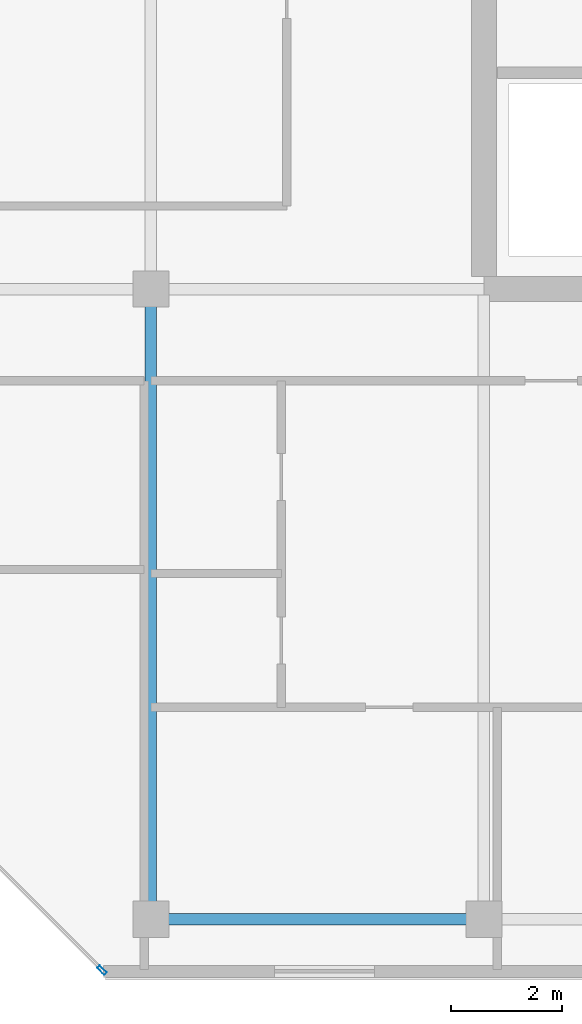
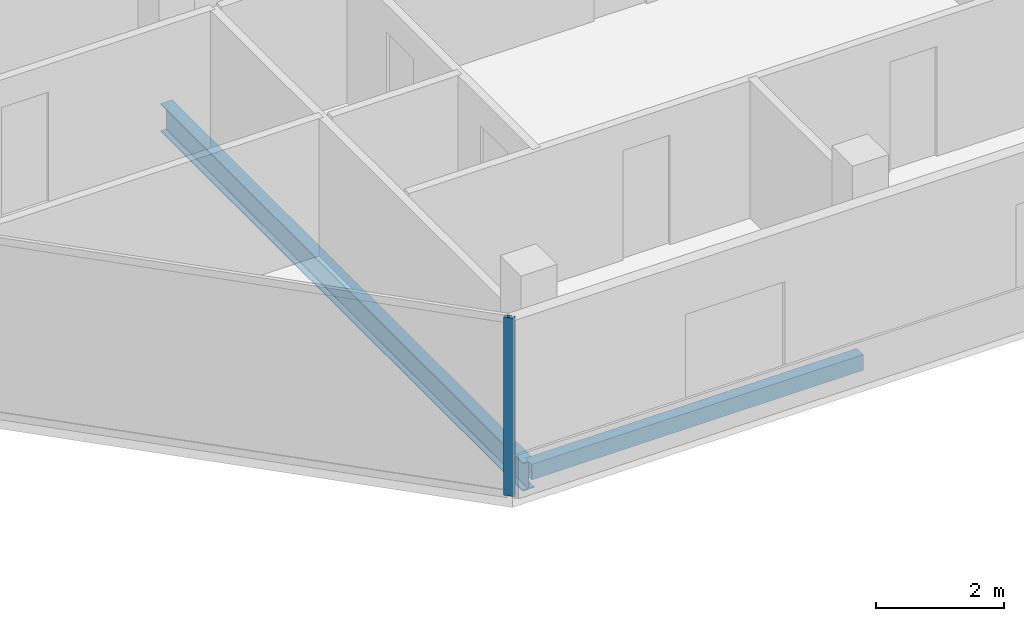
# One storey, part 10 of 28: 2 beams, 1 member, 1 element without a shape of its own.
"""IFC4 building model written with IfcOpenShell, lengths in metres."""

from ifc_helpers import new_model, si_unit, direction, frame, origin, origin_2d, place, context, subcontext, project, spatial, hollow_rectangle, i_section, extrude, material, layer, layer_set, material_profile, profile_set, type_object, element, aggregate, save


model = new_model("IFC4")

# Units and contexts
model_context = context("Model", 3, precision=1e-05, world=origin(), true_north=direction((0.0, 1.0)))
body_context = subcontext(model_context, "Body", "Model", "MODEL_VIEW")
ifc_project = project(units=[si_unit("LENGTHUNIT", "METRE"), si_unit("AREAUNIT", "SQUARE_METRE"), si_unit("VOLUMEUNIT", "CUBIC_METRE"), si_unit("PLANEANGLEUNIT", "RADIAN"), si_unit("MASSUNIT", "GRAM", prefix="KILO")], contexts=[model_context])

# Site, building, storey
site_placement = place(None, origin())
site = spatial("IfcSite", under=ifc_project, at=site_placement, CompositionType="ELEMENT")
building_placement = place(site_placement, origin())
building = spatial("IfcBuilding", under=site, at=building_placement, Name="Tanjung Sevakor Pilgrim Tower", CompositionType="ELEMENT")
storey_placement = place(building_placement, frame((0.0, 0.0, 246.179931640625)))
storey = spatial("IfcBuildingStorey", under=building, at=storey_placement, Name="L69", CompositionType="ELEMENT", Elevation=246.179931640625)

# Beams
ifc_material_1 = material(Name="Steel S355J2", Category="steel")
ifc_material_profile_1 = material_profile(ifc_material_1, i_section(OverallWidth=0.210693359375, OverallDepth=0.53955078125, WebThickness=0.01171875, FlangeThickness=0.018798828125, FilletRadius=0.0126953125, at=origin_2d()))
ifc_profile_set_1 = profile_set([ifc_material_profile_1], Name="Steel S355J2")
beam_type_1 = type_object("IfcBeamType", Name="BM-B-G6-UB_533x210x109", PredefinedType="BEAM", material=ifc_profile_set_1)
beam_1_placement = place(storey_placement, frame((72.0, 13.25, -0.48974609375), z_axis=(0.0, 1.0, 0.0), x_axis=(-1.0, 0.0, 0.0)))
element("IfcBeam", 1, at=beam_1_placement, inside=storey, type_object=beam_type_1, Name="L69 EAST Girder 002", PredefinedType="BEAM", context=body_context, shape_type="SweptSolid", body=[
    extrude(i_section(OverallWidth=0.210693359375, OverallDepth=0.53955078125, WebThickness=0.01171875, FlangeThickness=0.018798828125, FilletRadius=0.0126953125, at=origin_2d()), origin(), (0.0, 0.0, 1.0), 11.35009765625),
])
ifc_material_2 = material(Name="Steel S355J2", Category="steel")
ifc_material_profile_2 = material_profile(ifc_material_2, hollow_rectangle(XDim=0.199951171875, YDim=0.300048828125, WallThickness=0.012451171875, at=origin_2d()))
ifc_profile_set_2 = profile_set([ifc_material_profile_2], Name="Steel S355J2")
beam_type_2 = type_object("IfcBeamType", Name="BM-B-SP3-RHS_300x200x12.5", PredefinedType="SPANDREL", material=ifc_profile_set_2)
beam_2_placement = place(storey_placement, frame((72.0, 13.25, -0.369873046875), z_axis=(1.0, 0.0, 0.0), x_axis=(0.0, 1.0, 0.0)))
element("IfcBeam", 2, at=beam_2_placement, inside=storey, type_object=beam_type_2, Name="L69 Spandrel EAST S-01", PredefinedType="SPANDREL", context=body_context, shape_type="SweptSolid", body=[
    extrude(hollow_rectangle(XDim=0.199951171875, YDim=0.300048828125, WallThickness=0.012451171875, at=origin_2d()), origin(), (0.0, 0.0, 1.0), 6.0),
])

# Curtain wall, member
ifc_material_3 = material(Name="Aluminium 6063-T6 and Low-E Glass", Category="aluminium")
ifc_layer = layer(ifc_material_3, 0.179931640625)
ifc_layer_set = layer_set([ifc_layer], Name="CW-SYS-CHAM")
curtain_wall_type = type_object("IfcCurtainWallType", Name="CW-SYS-CHAM", PredefinedType="NOTDEFINED", material=ifc_layer_set)
curtain_wall_placement = place(storey_placement, origin())
curtain_wall = element("IfcCurtainWall", 3, at=curtain_wall_placement, inside=storey, type_object=curtain_wall_type, Name="L69 Curtain Wall CW-CHM-L69-EAST-7", PredefinedType="NOTDEFINED")
ifc_material_4 = material(Name="Aluminium 6063-T6", Category="aluminium")
ifc_material_profile_3 = material_profile(ifc_material_4, hollow_rectangle(XDim=0.06494140625, YDim=0.179931640625, WallThickness=0.00390625, at=origin_2d()))
ifc_profile_set_3 = profile_set([ifc_material_profile_3], Name="Aluminium 6063-T6")
member_type = type_object("IfcMemberType", Name="TYPE-CWM-1", PredefinedType="MULLION", material=ifc_profile_set_3)
member_placement = place(storey_placement, frame((71.12255859375, 12.3330078125, 0.0), z_axis=(0.0, 0.0, 1.0), x_axis=(0.707106781187, 0.707106781187, 0.0)))
member = element("IfcMember", 4, at=member_placement, type_object=member_type, Name="CW-CHM mullion 2", PredefinedType="MULLION", context=body_context, shape_type="SweptSolid", body=[
    extrude(hollow_rectangle(XDim=0.06494140625, YDim=0.179931640625, WallThickness=0.00390625, at=origin_2d()), origin(), (0.0, 0.0, 1.0), 3.41015625),
])
aggregate(curtain_wall, [member])

save(model, "model.ifc")
